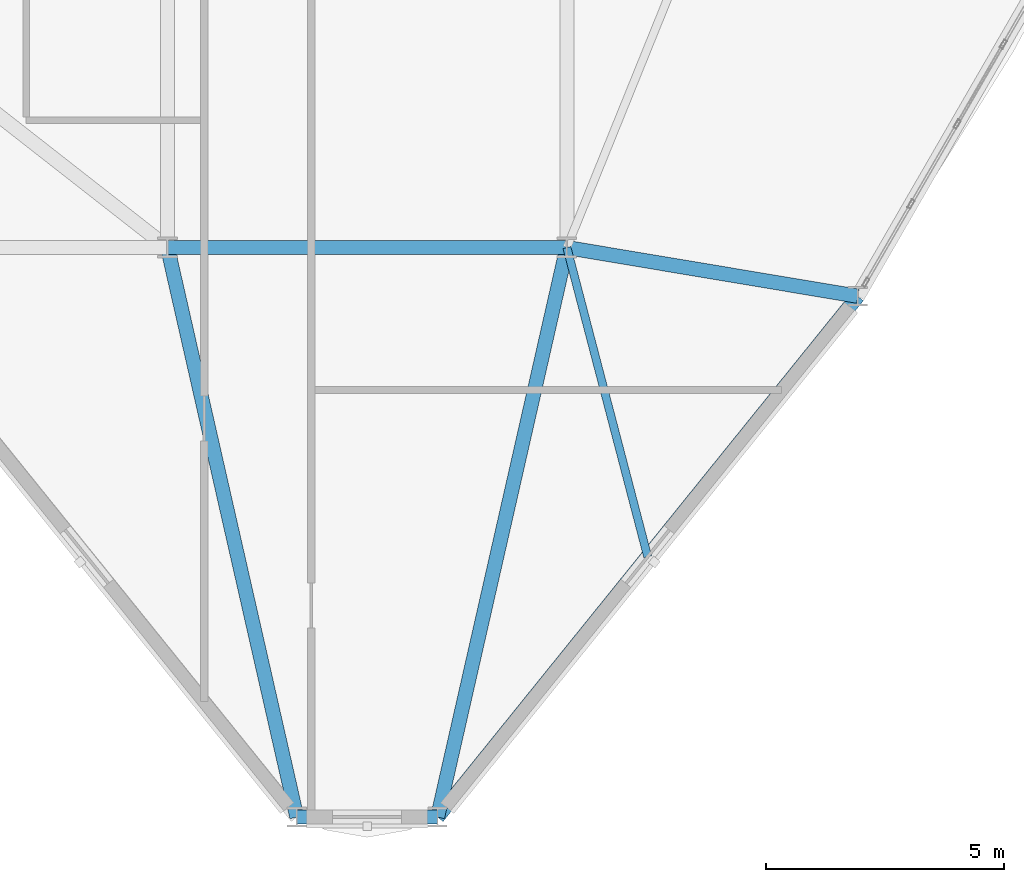
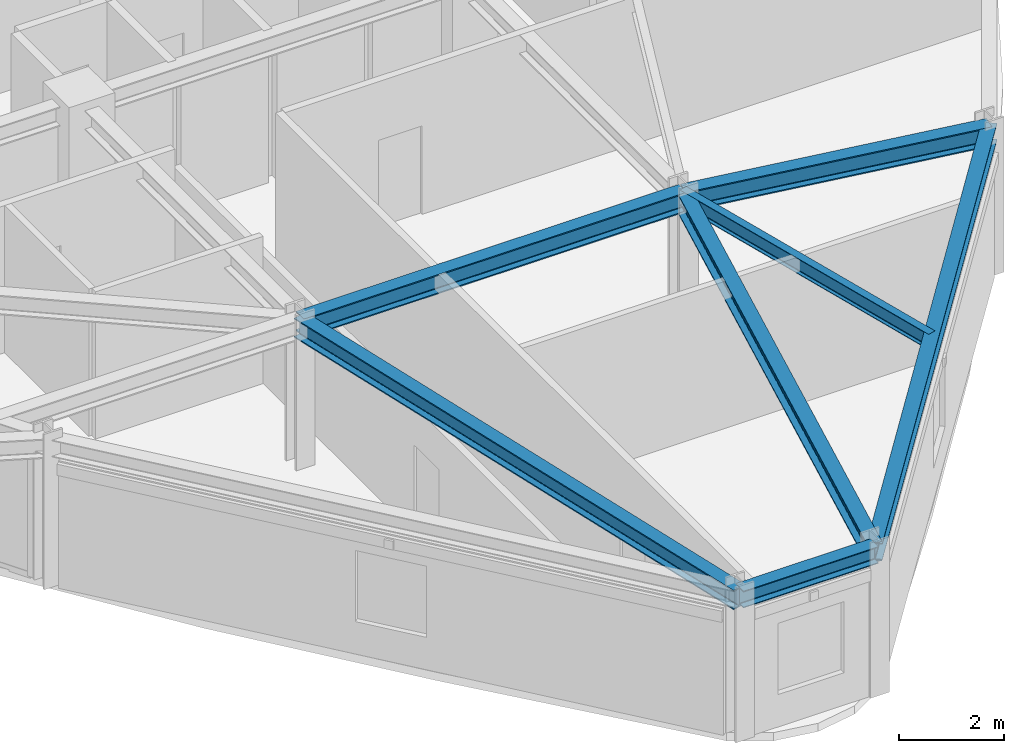
# One storey, part 3 of 16: 7 beams.
"""IFC4 building model written with IfcOpenShell, lengths in metres."""

from ifc_helpers import new_model, si_unit, derived_unit, direction, frame, origin, origin_2d, place, context, subcontext, project, spatial, i_section, extrude, source, transform, mapped, material, material_profile, profile_set, type_object, element, save


model = new_model("IFC4")

# Units and contexts
model_context = context("Model", 3, precision=1e-05, world=origin(), true_north=direction((0.0, 1.0)))
body_context = subcontext(model_context, "Body", "Model", "MODEL_VIEW")
ifc_project = project(units=[si_unit("LENGTHUNIT", "METRE"), si_unit("AREAUNIT", "SQUARE_METRE"), si_unit("VOLUMEUNIT", "CUBIC_METRE"), si_unit("PLANEANGLEUNIT", "RADIAN"), si_unit("MASSUNIT", "GRAM", prefix="KILO"), derived_unit("THERMALTRANSMITTANCEUNIT", [(si_unit("POWERUNIT", "WATT"), 1), (si_unit("LENGTHUNIT", "METRE"), -2), (si_unit("THERMODYNAMICTEMPERATUREUNIT", "KELVIN"), -1)])], contexts=[model_context])

# Site, building, storey
site_placement = place(None, origin())
site = spatial("IfcSite", under=ifc_project, at=site_placement, CompositionType="ELEMENT")
building_placement = place(site_placement, origin())
building = spatial("IfcBuilding", under=site, at=building_placement, Name="Korsvarv Bourse and Concert Hall", CompositionType="ELEMENT")
storey_placement = place(building_placement, frame((0.0, 0.0, 216.60009765625)))
storey = spatial("IfcBuildingStorey", under=building, at=storey_placement, Name="L56", CompositionType="ELEMENT", Elevation=216.60009765625)

# Beams
ifc_material = material(Name="Steel S355", Category="steel")
ifc_material_profile_1 = material_profile(ifc_material, i_section(OverallWidth=0.300048828125, OverallDepth=0.449951171875, WebThickness=0.013916015625, FlangeThickness=0.02587890625, FilletRadius=0.02099609375, at=origin_2d()), Name="HEB 450")
ifc_profile_set_1 = profile_set([ifc_material_profile_1], Name="Steel S355")
beam_type_1 = type_object("IfcBeamType", Name="BM-HEB450", PredefinedType="SPANDREL", material=ifc_profile_set_1)
shared_shape_1 = source(origin(), body_context, "Body", "SweptSolid", [
    extrude(i_section(OverallWidth=0.300048828125, OverallDepth=0.449951171875, WebThickness=0.013916015625, FlangeThickness=0.02587890625, FilletRadius=0.02099609375, at=origin_2d()), origin(), (0.0, 0.0, 1.0), 8.39990234375),
])
beam_1_placement = place(storey_placement, frame((36.0, 24.0, 3.184814453125), z_axis=(1.0, 0.0, 0.0), x_axis=(0.0, 1.0, 0.0)))
element("IfcBeam", 1, at=beam_1_placement, inside=storey, type_object=beam_type_1, Name="L56 beam B-08", PredefinedType="SPANDREL", context=body_context, shape_type="MappedRepresentation", body=[
    mapped(shared_shape_1, transform((0.0, 0.0, 0.0), scale=1.0)),
])
ifc_material_profile_2 = material_profile(ifc_material, i_section(OverallWidth=0.300048828125, OverallDepth=0.389892578125, WebThickness=0.010986328125, FlangeThickness=0.01904296875, FilletRadius=0.02099609375, at=origin_2d()), Name="HEA 400")
ifc_profile_set_2 = profile_set([ifc_material_profile_2], Name="Steel S355")
beam_type_2 = type_object("IfcBeamType", Name="BM-HEA400", PredefinedType="BEAM", material=ifc_profile_set_2)
shared_shape_2 = source(origin(), body_context, "Body", "SweptSolid", [
    extrude(i_section(OverallWidth=0.300048828125, OverallDepth=0.389892578125, WebThickness=0.010986328125, FlangeThickness=0.01904296875, FilletRadius=0.02099609375, at=origin_2d()), origin(), (0.0, 0.0, 1.0), 2.95947265625),
])
beam_2_placement = place(storey_placement, frame((38.72021484375, 12.020263671875, 3.21484375), z_axis=(1.0, 0.0, 0.0), x_axis=(0.0, 1.0, 0.0)))
element("IfcBeam", 2, at=beam_2_placement, inside=storey, type_object=beam_type_2, Name="L56 beam B-11", PredefinedType="BEAM", context=body_context, shape_type="MappedRepresentation", body=[
    mapped(shared_shape_2, transform((0.0, 0.0, 0.0), scale=1.0)),
])
shared_shape_3 = source(origin(), body_context, "Body", "SweptSolid", [
    extrude(i_section(OverallWidth=0.300048828125, OverallDepth=0.389892578125, WebThickness=0.010986328125, FlangeThickness=0.01904296875, FilletRadius=0.02099609375, at=origin_2d()), origin(), (0.0, 0.0, 1.0), 14.077880859375),
])
beam_3_placement = place(storey_placement, frame((41.6796875, 12.020263671875, 3.21484375), z_axis=(0.627997157863, 0.778215631889, 0.0), x_axis=(-0.778215631889, 0.627997157863, 0.0)))
element("IfcBeam", 3, at=beam_3_placement, inside=storey, type_object=beam_type_2, Name="L56 beam B-11", PredefinedType="BEAM", context=body_context, shape_type="MappedRepresentation", body=[
    mapped(shared_shape_3, transform((0.0, 0.0, 0.0), scale=1.0)),
])
shared_shape_4 = source(origin(), body_context, "Body", "SweptSolid", [
    extrude(i_section(OverallWidth=0.300048828125, OverallDepth=0.449951171875, WebThickness=0.013916015625, FlangeThickness=0.02587890625, FilletRadius=0.02099609375, at=origin_2d()), origin(), (0.0, 0.0, 1.0), 12.28466796875),
])
for number, where, z_axis, x_axis, name in (
    (4, (38.72021484375, 12.020263671875, 3.184814453125), (-0.221431265843, 0.975175981301, 0.0), (-0.975175981301, -0.221431265843, 0.0), "L56 beam B-08"),
    (5, (41.6796875, 12.020263671875, 3.184814453125), (0.221431265843, 0.975175981301, 0.0), (-0.975175981301, 0.221431265843, 0.0), "L56 beam B-08"),
):
    element("IfcBeam", number, at=place(storey_placement, frame(where, z_axis=z_axis, x_axis=x_axis)), inside=storey, type_object=beam_type_1, Name=name, PredefinedType="SPANDREL", context=body_context, shape_type="MappedRepresentation", body=[
        mapped(shared_shape_4, transform((0.0, 0.0, 0.0), scale=1.0)),
    ])
shared_shape_5 = source(origin(), body_context, "Body", "SweptSolid", [
    extrude(i_section(OverallWidth=0.300048828125, OverallDepth=0.449951171875, WebThickness=0.013916015625, FlangeThickness=0.02587890625, FilletRadius=0.02099609375, at=origin_2d()), origin(), (0.0, 0.0, 1.0), 6.205810546875),
])
beam_4_placement = place(storey_placement, frame((50.5205078125, 22.975830078125, 3.184814453125), z_axis=(-0.986287389578, 0.165036920594, 0.0), x_axis=(-0.165036920594, -0.986287389578, 0.0)))
element("IfcBeam", 6, at=beam_4_placement, inside=storey, type_object=beam_type_1, Name="L56 beam B-08", PredefinedType="SPANDREL", context=body_context, shape_type="MappedRepresentation", body=[
    mapped(shared_shape_5, transform((0.0, 0.0, 0.0), scale=1.0)),
])
ifc_material_profile_3 = material_profile(ifc_material, i_section(OverallWidth=0.169921875, OverallDepth=0.360107421875, WebThickness=0.008056640625, FlangeThickness=0.0126953125, FilletRadius=0.01806640625, at=origin_2d()), Name="IPE 360")
ifc_profile_set_3 = profile_set([ifc_material_profile_3], Name="Steel S355")
beam_type_3 = type_object("IfcBeamType", Name="BM-IPE360", PredefinedType="JOIST", material=ifc_profile_set_3)
shared_shape_6 = source(origin(), body_context, "Body", "SweptSolid", [
    extrude(i_section(OverallWidth=0.169921875, OverallDepth=0.360107421875, WebThickness=0.008056640625, FlangeThickness=0.0126953125, FilletRadius=0.01806640625, at=origin_2d()), origin(), (0.0, 0.0, 1.0), 6.720458984375),
])
beam_5_placement = place(storey_placement, frame((46.10009765625, 17.498046875, 3.22998046875), z_axis=(-0.252983803628, 0.967470513815, 0.0), x_axis=(-0.967470513815, -0.252983803628, 0.0)))
element("IfcBeam", 7, at=beam_5_placement, inside=storey, type_object=beam_type_3, Name="L56 beam J-06", PredefinedType="JOIST", context=body_context, shape_type="MappedRepresentation", body=[
    mapped(shared_shape_6, transform((0.0, 0.0, 0.0), scale=1.0)),
])

save(model, "model.ifc")
